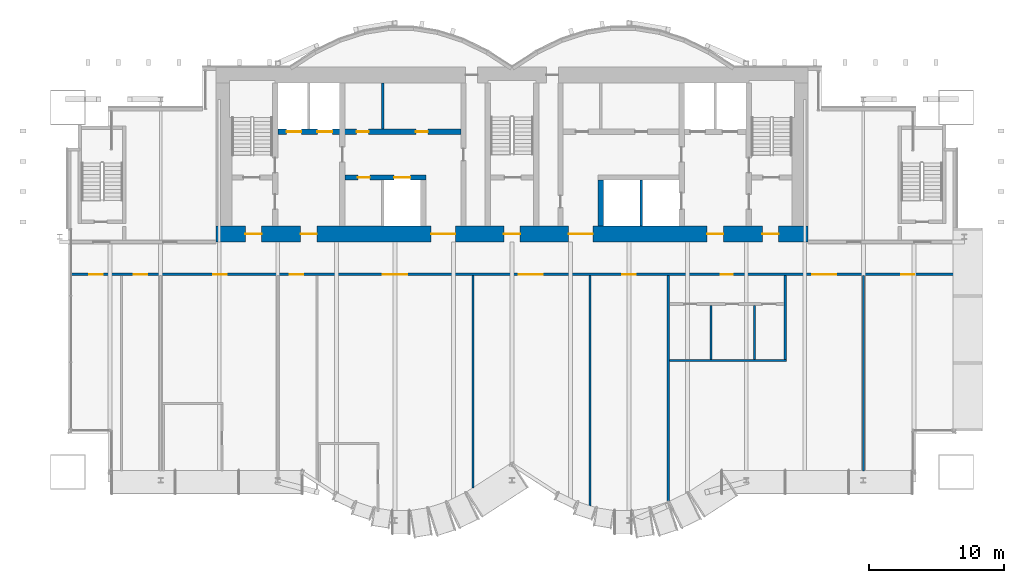
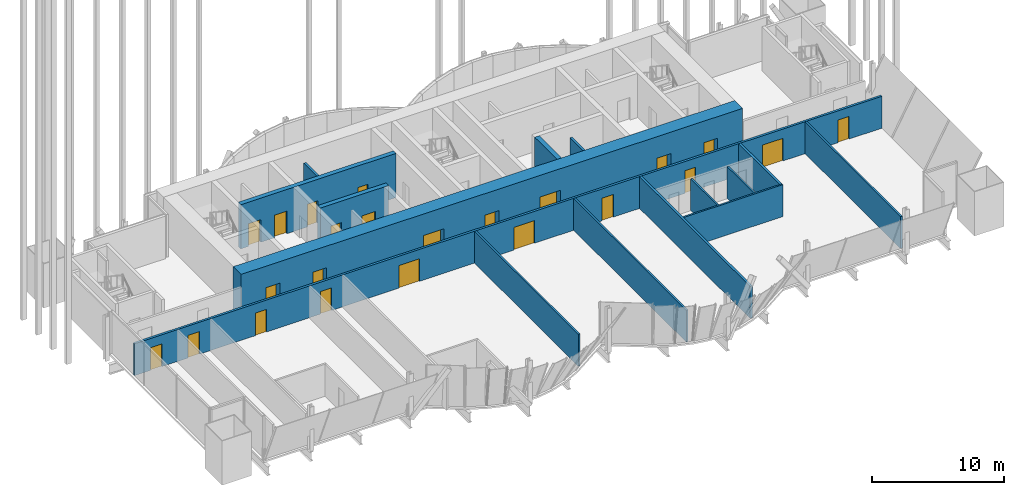
# One storey, part 24 of 29: 23 doors, 15 walls, 23 openings.
"""IFC4 building model written with IfcOpenShell, lengths in metres."""

from ifc_helpers import new_model, si_unit, direction, frame, frame_2d, origin, place, context, subcontext, project, spatial, rectangle, extrude, material, layer, layer_set, type_object, element, fill, save


model = new_model("IFC4")

# Units and contexts
model_context = context("Model", 3, precision=1e-05, world=origin(), true_north=direction((0.0, 1.0)))
body_context = subcontext(model_context, "Body", "Model", "MODEL_VIEW")
ifc_project = project(units=[si_unit("LENGTHUNIT", "METRE"), si_unit("AREAUNIT", "SQUARE_METRE"), si_unit("VOLUMEUNIT", "CUBIC_METRE"), si_unit("PLANEANGLEUNIT", "RADIAN"), si_unit("MASSUNIT", "GRAM", prefix="KILO")], contexts=[model_context])

# Site, building, storey
site_placement = place(None, origin())
site = spatial("IfcSite", under=ifc_project, at=site_placement, CompositionType="ELEMENT")
building_placement = place(site_placement, origin())
building = spatial("IfcBuilding", under=site, at=building_placement, Name="Bicima Exchange Tower", CompositionType="ELEMENT")
storey_placement = place(building_placement, frame((0.0, 0.0, 190.89990234375)))
storey = spatial("IfcBuildingStorey", under=building, at=storey_placement, Name="L42", CompositionType="ELEMENT", Elevation=190.89990234375)

# Wall
ifc_material_1 = material(Name="Gypsum board partition")
ifc_layer_1 = layer(ifc_material_1, 0.199951171875)
ifc_layer_set_1 = layer_set([ifc_layer_1], Name="Gypsum board partition")
wall_type_1 = type_object("IfcWallType", Name="Fire-rated gypsum partition 200 EI120", PredefinedType="PARTITIONING", material=ifc_layer_set_1)
wall_1_placement = place(storey_placement, frame((9.60009765625, -11.800048828125, 0.0), z_axis=(0.0, 0.0, 1.0), x_axis=(0.0, 1.0, 0.0)))
element("IfcWall", 1, at=wall_1_placement, inside=storey, type_object=wall_type_1, Name="partition wall 20", PredefinedType="PARTITIONING", context=body_context, shape_type="SweptSolid", body=[
    extrude(rectangle(XDim=3.400146484375, YDim=0.199951171875, at=frame_2d((1.7001953125, 0.0))), origin(), (0.0, 0.0, 1.0), 2.959716796875),
])

# Wall, openings, doors
ifc_layer_2 = layer(ifc_material_1, 0.199951171875)
ifc_layer_set_2 = layer_set([ifc_layer_2], Name="Gypsum board partition")
wall_type_2 = type_object("IfcWallType", Name="Fire-rated gypsum partition 200 EI60", PredefinedType="PARTITIONING", material=ifc_layer_set_2)
wall_2_placement = place(storey_placement, frame((-32.7900390625, -15.39990234375, 0.0), z_axis=(0.0, 0.0, 1.0), x_axis=(1.0, 0.0, 0.0)))
wall_2 = element("IfcWall", 2, at=wall_2_placement, inside=storey, type_object=wall_type_2, Name="partition wall 5", PredefinedType="PARTITIONING", context=body_context, shape_type="SweptSolid", body=[
    extrude(rectangle(XDim=65.580078125, YDim=0.199951171875, at=frame_2d((32.7900390625, 0.0))), origin(), (0.0, 0.0, 1.0), 2.959716796875),
])
opening_1_placement = place(wall_2_placement, frame((1.39990234375, 0.0, 0.0)))
opening_1 = element("IfcOpeningElement", 3, at=opening_1_placement, cuts=wall_2, Name="Opening L42-007", PredefinedType="OPENING", context=body_context, shape_type="SweptSolid", body=[
    extrude(rectangle(XDim=1.0, YDim=2.10009765625, at=frame_2d((0.5, 1.050048828125))), frame((0.0, 0.11181640625, 0.0), z_axis=(0.0, -1.0, 0.0), x_axis=(1.0, 0.0, 0.0)), (0.0, 0.0, 1.0), 0.223876953125),
])
opening_2_placement = place(wall_2_placement, frame((4.68994140625, 0.0, 0.0)))
opening_2 = element("IfcOpeningElement", 4, at=opening_2_placement, cuts=wall_2, Name="Opening L42-008", PredefinedType="OPENING", context=body_context, shape_type="SweptSolid", body=[
    extrude(rectangle(XDim=1.0, YDim=2.10009765625, at=frame_2d((0.5, 1.050048828125))), frame((0.0, 0.11181640625, 0.0), z_axis=(0.0, -1.0, 0.0), x_axis=(1.0, 0.0, 0.0)), (0.0, 0.0, 1.0), 0.223876953125),
])
opening_3_placement = place(wall_2_placement, frame((10.590087890625, 0.0, 0.0)))
opening_3 = element("IfcOpeningElement", 5, at=opening_3_placement, cuts=wall_2, Name="Opening L42-009", PredefinedType="OPENING", context=body_context, shape_type="SweptSolid", body=[
    extrude(rectangle(XDim=1.0, YDim=2.10009765625, at=frame_2d((0.5, 1.050048828125))), frame((0.0, 0.11181640625, 0.0), z_axis=(0.0, -1.0, 0.0), x_axis=(1.0, 0.0, 0.0)), (0.0, 0.0, 1.0), 0.223876953125),
])
opening_4_placement = place(wall_2_placement, frame((16.2900390625, 0.0, 0.0)))
opening_4 = element("IfcOpeningElement", 6, at=opening_4_placement, cuts=wall_2, Name="Opening L42-010", PredefinedType="OPENING", context=body_context, shape_type="SweptSolid", body=[
    extrude(rectangle(XDim=1.0, YDim=2.10009765625, at=frame_2d((0.5, 1.050048828125))), frame((0.0, 0.11181640625, 0.0), z_axis=(0.0, -1.0, 0.0), x_axis=(1.0, 0.0, 0.0)), (0.0, 0.0, 1.0), 0.223876953125),
])
opening_5_placement = place(wall_2_placement, frame((23.18994140625, 0.0, 0.0)))
opening_5 = element("IfcOpeningElement", 7, at=opening_5_placement, cuts=wall_2, Name="Opening L42-011", PredefinedType="OPENING", context=body_context, shape_type="SweptSolid", body=[
    extrude(rectangle(XDim=1.800048828125, YDim=2.10009765625, at=frame_2d((0.89990234375, 1.050048828125))), frame((0.0, 0.11181640625, 0.0), z_axis=(0.0, -1.0, 0.0), x_axis=(1.0, 0.0, 0.0)), (0.0, 0.0, 1.0), 0.223876953125),
])
opening_6_placement = place(wall_2_placement, frame((33.2900390625, 0.0, 0.0)))
opening_6 = element("IfcOpeningElement", 8, at=opening_6_placement, cuts=wall_2, Name="Opening L42-012", PredefinedType="OPENING", context=body_context, shape_type="SweptSolid", body=[
    extrude(rectangle(XDim=1.800048828125, YDim=2.10009765625, at=frame_2d((0.89990234375, 1.050048828125))), frame((0.0, 0.11181640625, 0.0), z_axis=(0.0, -1.0, 0.0), x_axis=(1.0, 0.0, 0.0)), (0.0, 0.0, 1.0), 0.223876953125),
])
opening_7_placement = place(wall_2_placement, frame((40.989990234375, 0.0, 0.0)))
opening_7 = element("IfcOpeningElement", 9, at=opening_7_placement, cuts=wall_2, Name="Opening L42-013", PredefinedType="OPENING", context=body_context, shape_type="SweptSolid", body=[
    extrude(rectangle(XDim=1.0, YDim=2.10009765625, at=frame_2d((0.5, 1.050048828125))), frame((0.0, 0.11181640625, 0.0), z_axis=(0.0, -1.0, 0.0), x_axis=(1.0, 0.0, 0.0)), (0.0, 0.0, 1.0), 0.223876953125),
])
opening_8_placement = place(wall_2_placement, frame((48.2900390625, 0.0, 0.0)))
opening_8 = element("IfcOpeningElement", 10, at=opening_8_placement, cuts=wall_2, Name="Opening L42-014", PredefinedType="OPENING", context=body_context, shape_type="SweptSolid", body=[
    extrude(rectangle(XDim=0.89990234375, YDim=2.10009765625, at=frame_2d((0.449951171875, 1.050048828125))), frame((0.0, 0.11181640625, 0.0), z_axis=(0.0, -1.0, 0.0), x_axis=(1.0, 0.0, 0.0)), (0.0, 0.0, 1.0), 0.223876953125),
])
opening_9_placement = place(wall_2_placement, frame((55.090087890625, 0.0, 0.0)))
opening_9 = element("IfcOpeningElement", 11, at=opening_9_placement, cuts=wall_2, Name="Opening L42-018", PredefinedType="OPENING", context=body_context, shape_type="SweptSolid", body=[
    extrude(rectangle(XDim=1.800048828125, YDim=2.10009765625, at=frame_2d((0.89990234375, 1.050048828125))), frame((0.0, 0.11181640625, 0.0), z_axis=(0.0, -1.0, 0.0), x_axis=(1.0, 0.0, 0.0)), (0.0, 0.0, 1.0), 0.223876953125),
])
opening_10_placement = place(wall_2_placement, frame((61.68994140625, 0.0, 0.0)))
opening_10 = element("IfcOpeningElement", 12, at=opening_10_placement, cuts=wall_2, Name="Opening L42-019", PredefinedType="OPENING", context=body_context, shape_type="SweptSolid", body=[
    extrude(rectangle(XDim=1.0, YDim=2.10009765625, at=frame_2d((0.5, 1.050048828125))), frame((0.0, 0.11181640625, 0.0), z_axis=(0.0, -1.0, 0.0), x_axis=(1.0, 0.0, 0.0)), (0.0, 0.0, 1.0), 0.223876953125),
])
ifc_material_2 = material(Name="Steel fire door leaf", Category="steel")
door_type_1 = type_object("IfcDoorType", Name="Door 1000 swing FD30S", OperationType="SINGLE_SWING_LEFT", PredefinedType="DOOR", material=ifc_material_2)
door_1_placement = place(opening_1_placement, frame((1.0, 0.0, 0.0), z_axis=(0.0, 0.0, 1.0), x_axis=(-1.0, 0.0, 0.0)))
door_1 = element("IfcDoor", 13, at=door_1_placement, inside=storey, type_object=door_type_1, Name="Door", OperationType="SINGLE_SWING_LEFT", OverallHeight=2.10009765625, OverallWidth=1.0, PredefinedType="DOOR", context=body_context, shape_type="SweptSolid", body=[
    extrude(rectangle(XDim=1.0, YDim=2.10009765625, at=frame_2d((0.5, 1.050048828125))), frame((0.0, 0.02490234375, 0.0), z_axis=(0.0, -1.0, 0.0), x_axis=(1.0, 0.0, 0.0)), (0.0, 0.0, 1.0), 0.050048828125),
])
fill(opening_1, door_1)
door_2_placement = place(opening_2_placement, frame((1.0, 0.0, 0.0), z_axis=(0.0, 0.0, 1.0), x_axis=(-1.0, 0.0, 0.0)))
door_2 = element("IfcDoor", 14, at=door_2_placement, inside=storey, type_object=door_type_1, Name="Door", OperationType="SINGLE_SWING_RIGHT", OverallHeight=2.10009765625, OverallWidth=1.0, PredefinedType="DOOR", context=body_context, shape_type="SweptSolid", body=[
    extrude(rectangle(XDim=1.0, YDim=2.10009765625, at=frame_2d((0.5, 1.050048828125))), frame((0.0, 0.02490234375, 0.0), z_axis=(0.0, -1.0, 0.0), x_axis=(1.0, 0.0, 0.0)), (0.0, 0.0, 1.0), 0.050048828125),
])
fill(opening_2, door_2)
door_3_placement = place(opening_3_placement, frame((1.0, 0.0, 0.0), z_axis=(0.0, 0.0, 1.0), x_axis=(-1.0, 0.0, 0.0)))
door_3 = element("IfcDoor", 15, at=door_3_placement, inside=storey, type_object=door_type_1, Name="Door", OperationType="SINGLE_SWING_RIGHT", OverallHeight=2.10009765625, OverallWidth=1.0, PredefinedType="DOOR", context=body_context, shape_type="SweptSolid", body=[
    extrude(rectangle(XDim=1.0, YDim=2.10009765625, at=frame_2d((0.5, 1.050048828125))), frame((0.0, 0.02490234375, 0.0), z_axis=(0.0, -1.0, 0.0), x_axis=(1.0, 0.0, 0.0)), (0.0, 0.0, 1.0), 0.050048828125),
])
fill(opening_3, door_3)
door_4_placement = place(opening_4_placement, frame((1.0, 0.0, 0.0), z_axis=(0.0, 0.0, 1.0), x_axis=(-1.0, 0.0, 0.0)))
door_4 = element("IfcDoor", 16, at=door_4_placement, inside=storey, type_object=door_type_1, Name="Door", OperationType="SINGLE_SWING_LEFT", OverallHeight=2.10009765625, OverallWidth=1.0, PredefinedType="DOOR", context=body_context, shape_type="SweptSolid", body=[
    extrude(rectangle(XDim=1.0, YDim=2.10009765625, at=frame_2d((0.5, 1.050048828125))), frame((0.0, 0.02490234375, 0.0), z_axis=(0.0, -1.0, 0.0), x_axis=(1.0, 0.0, 0.0)), (0.0, 0.0, 1.0), 0.050048828125),
])
fill(opening_4, door_4)
door_5_placement = place(opening_7_placement, frame((1.0, 0.0, 0.0), z_axis=(0.0, 0.0, 1.0), x_axis=(-1.0, 0.0, 0.0)))
door_5 = element("IfcDoor", 17, at=door_5_placement, inside=storey, type_object=door_type_1, Name="Door", OperationType="SINGLE_SWING_LEFT", OverallHeight=2.10009765625, OverallWidth=1.0, PredefinedType="DOOR", context=body_context, shape_type="SweptSolid", body=[
    extrude(rectangle(XDim=1.0, YDim=2.10009765625, at=frame_2d((0.5, 1.050048828125))), frame((0.0, 0.02490234375, 0.0), z_axis=(0.0, -1.0, 0.0), x_axis=(1.0, 0.0, 0.0)), (0.0, 0.0, 1.0), 0.050048828125),
])
fill(opening_7, door_5)
door_6_placement = place(opening_10_placement, frame((1.0, 0.0, 0.0), z_axis=(0.0, 0.0, 1.0), x_axis=(-1.0, 0.0, 0.0)))
door_6 = element("IfcDoor", 18, at=door_6_placement, inside=storey, type_object=door_type_1, Name="Door", OperationType="SINGLE_SWING_LEFT", OverallHeight=2.10009765625, OverallWidth=1.0, PredefinedType="DOOR", context=body_context, shape_type="SweptSolid", body=[
    extrude(rectangle(XDim=1.0, YDim=2.10009765625, at=frame_2d((0.5, 1.050048828125))), frame((0.0, 0.02490234375, 0.0), z_axis=(0.0, -1.0, 0.0), x_axis=(1.0, 0.0, 0.0)), (0.0, 0.0, 1.0), 0.050048828125),
])
fill(opening_10, door_6)
door_type_2 = type_object("IfcDoorType", Name="Door 1800 double swing FD30S", OperationType="DOUBLE_DOOR_SINGLE_SWING", PredefinedType="DOOR", material=ifc_material_2)
door_7_placement = place(opening_5_placement, origin())
door_7 = element("IfcDoor", 19, at=door_7_placement, inside=storey, type_object=door_type_2, Name="Door", OperationType="SINGLE_SWING_LEFT", OverallHeight=2.10009765625, OverallWidth=1.800048828125, PredefinedType="DOOR", context=body_context, shape_type="SweptSolid", body=[
    extrude(rectangle(XDim=1.800048828125, YDim=2.10009765625, at=frame_2d((0.89990234375, 1.050048828125))), frame((0.0, 0.02490234375, 0.0), z_axis=(0.0, -1.0, 0.0), x_axis=(1.0, 0.0, 0.0)), (0.0, 0.0, 1.0), 0.050048828125),
])
fill(opening_5, door_7)
door_8_placement = place(opening_6_placement, origin())
door_8 = element("IfcDoor", 20, at=door_8_placement, inside=storey, type_object=door_type_2, Name="Door", OperationType="SINGLE_SWING_LEFT", OverallHeight=2.10009765625, OverallWidth=1.800048828125, PredefinedType="DOOR", context=body_context, shape_type="SweptSolid", body=[
    extrude(rectangle(XDim=1.800048828125, YDim=2.10009765625, at=frame_2d((0.89990234375, 1.050048828125))), frame((0.0, 0.02490234375, 0.0), z_axis=(0.0, -1.0, 0.0), x_axis=(1.0, 0.0, 0.0)), (0.0, 0.0, 1.0), 0.050048828125),
])
fill(opening_6, door_8)
door_9_placement = place(opening_9_placement, origin())
door_9 = element("IfcDoor", 21, at=door_9_placement, inside=storey, type_object=door_type_2, Name="Door", OperationType="SINGLE_SWING_LEFT", OverallHeight=2.10009765625, OverallWidth=1.800048828125, PredefinedType="DOOR", context=body_context, shape_type="SweptSolid", body=[
    extrude(rectangle(XDim=1.800048828125, YDim=2.10009765625, at=frame_2d((0.89990234375, 1.050048828125))), frame((0.0, 0.02490234375, 0.0), z_axis=(0.0, -1.0, 0.0), x_axis=(1.0, 0.0, 0.0)), (0.0, 0.0, 1.0), 0.050048828125),
])
fill(opening_9, door_9)
door_type_3 = type_object("IfcDoorType", Name="Door 900 swing FD30S", OperationType="SINGLE_SWING_LEFT", PredefinedType="DOOR", material=ifc_material_2)
door_10_placement = place(opening_8_placement, frame((0.89990234375, 0.0, 0.0), z_axis=(0.0, 0.0, 1.0), x_axis=(-1.0, 0.0, 0.0)))
door_10 = element("IfcDoor", 22, at=door_10_placement, inside=storey, type_object=door_type_3, Name="Door", OperationType="SINGLE_SWING_RIGHT", OverallHeight=2.10009765625, OverallWidth=0.89990234375, PredefinedType="DOOR", context=body_context, shape_type="SweptSolid", body=[
    extrude(rectangle(XDim=0.89990234375, YDim=2.10009765625, at=frame_2d((0.449951171875, 1.050048828125))), frame((0.0, 0.02490234375, 0.0), z_axis=(0.0, -1.0, 0.0), x_axis=(1.0, 0.0, 0.0)), (0.0, 0.0, 1.0), 0.050048828125),
])
fill(opening_8, door_10)

# Walls
wall_3_placement = place(storey_placement, frame((11.60009765625, -32.3203125, 0.0), z_axis=(0.0, 0.0, 1.0), x_axis=(0.0, 1.0, 0.0)))
element("IfcWall", 23, at=wall_3_placement, inside=storey, type_object=wall_type_2, Name="partition wall 27", PredefinedType="PARTITIONING", context=body_context, shape_type="SweptSolid", body=[
    extrude(rectangle(XDim=16.8203125, YDim=0.199951171875, at=frame_2d((8.41015625, 0.0))), origin(), (0.0, 0.0, 1.0), 2.959716796875),
])
wall_4_placement = place(storey_placement, frame((20.300048828125, -21.72509765625, 0.0), z_axis=(0.0, 0.0, 1.0), x_axis=(0.0, 1.0, 0.0)))
element("IfcWall", 24, at=wall_4_placement, inside=storey, type_object=wall_type_2, Name="partition wall 30", PredefinedType="PARTITIONING", context=body_context, shape_type="SweptSolid", body=[
    extrude(rectangle(XDim=6.22509765625, YDim=0.199951171875, at=frame_2d((3.112548828125, 0.0))), origin(), (0.0, 0.0, 1.0), 2.959716796875),
])
wall_5_placement = place(storey_placement, frame((-9.60009765625, -4.60009765625, 0.0), z_axis=(0.0, 0.0, 1.0), x_axis=(0.0, 1.0, 0.0)))
element("IfcWall", 25, at=wall_5_placement, inside=storey, type_object=wall_type_2, Name="partition wall 12", PredefinedType="PARTITIONING", context=body_context, shape_type="SweptSolid", body=[
    extrude(rectangle(XDim=3.400146484375, YDim=0.199951171875, at=frame_2d((1.7001953125, 0.0))), origin(), (0.0, 0.0, 1.0), 2.959716796875),
])
ifc_layer_3 = layer(ifc_material_1, 0.14990234375)
ifc_layer_set_3 = layer_set([ifc_layer_3], Name="Gypsum board partition")
wall_type_3 = type_object("IfcWallType", Name="Gypsum partition 150", PredefinedType="PARTITIONING", material=ifc_layer_set_3)
wall_6_placement = place(storey_placement, frame((11.699951171875, -21.800048828125, 0.0), z_axis=(0.0, 0.0, 1.0), x_axis=(1.0, 0.0, 0.0)))
element("IfcWall", 26, at=wall_6_placement, inside=storey, type_object=wall_type_3, Name="partition wall 3", PredefinedType="PARTITIONING", context=body_context, shape_type="SweptSolid", body=[
    extrude(rectangle(XDim=8.699951171875, YDim=0.14990234375, at=frame_2d((4.35009765625, 0.0))), origin(), (0.0, 0.0, 1.0), 2.959716796875),
])
wall_7_placement = place(storey_placement, frame((-2.89990234375, -31.27001953125, 0.0), z_axis=(0.0, 0.0, 1.0), x_axis=(0.0, 1.0, 0.0)))
element("IfcWall", 27, at=wall_7_placement, inside=storey, type_object=wall_type_3, Name="partition wall 25", PredefinedType="PARTITIONING", context=body_context, shape_type="SweptSolid", body=[
    extrude(rectangle(XDim=15.77001953125, YDim=0.14990234375, at=frame_2d((7.885009765625, 0.0))), origin(), (0.0, 0.0, 1.0), 2.959716796875),
])
wall_8_placement = place(storey_placement, frame((5.800048828125, -32.610107421875, 0.0), z_axis=(0.0, 0.0, 1.0), x_axis=(0.0, 1.0, 0.0)))
element("IfcWall", 28, at=wall_8_placement, inside=storey, type_object=wall_type_3, Name="partition wall 26", PredefinedType="PARTITIONING", context=body_context, shape_type="SweptSolid", body=[
    extrude(rectangle(XDim=17.110107421875, YDim=0.14990234375, at=frame_2d((8.55517578125, 0.0))), origin(), (0.0, 0.0, 1.0), 2.959716796875),
])
for number, where, z_axis, x_axis, name in (
    (29, (14.800048828125, -21.72509765625, 0.0), (0.0, 0.0, 1.0), (0.0, 1.0, 0.0), "partition wall 28"),
    (30, (18.0, -21.72509765625, 0.0), (0.0, 0.0, 1.0), (0.0, 1.0, 0.0), "partition wall 29"),
):
    element("IfcWall", number, at=place(storey_placement, frame(where, z_axis=z_axis, x_axis=x_axis)), inside=storey, type_object=wall_type_3, Name=name, PredefinedType="PARTITIONING", context=body_context, shape_type="SweptSolid", body=[
        extrude(rectangle(XDim=4.025146484375, YDim=0.14990234375, at=frame_2d((2.0126953125, 0.0))), origin(), (0.0, 0.0, 1.0), 2.959716796875),
    ])
wall_9_placement = place(storey_placement, frame((26.10009765625, -30.010009765625, 0.0), z_axis=(0.0, 0.0, 1.0), x_axis=(0.0, 1.0, 0.0)))
element("IfcWall", 31, at=wall_9_placement, inside=storey, type_object=wall_type_3, Name="partition wall 31", PredefinedType="PARTITIONING", context=body_context, shape_type="SweptSolid", body=[
    extrude(rectangle(XDim=14.510009765625, YDim=0.14990234375, at=frame_2d((7.2548828125, 0.0))), origin(), (0.0, 0.0, 1.0), 2.959716796875),
])

# Wall, openings, doors
ifc_material_3 = material(Name="Concrete C50/60", Category="concrete")
ifc_layer_4 = layer(ifc_material_3, 1.199951171875)
ifc_layer_set_4 = layer_set([ifc_layer_4], Name="Concrete C50/60")
wall_type_4 = type_object("IfcWallType", Name="RC core wall 1200 C50/60", PredefinedType="SHEAR", material=ifc_layer_set_4)
wall_10_placement = place(storey_placement, frame((-22.0, -12.39990234375, 0.0), z_axis=(0.0, 0.0, 1.0), x_axis=(1.0, 0.0, 0.0)))
wall_10 = element("IfcWall", 32, at=wall_10_placement, inside=storey, type_object=wall_type_4, Name="Core wall south", PredefinedType="SHEAR", context=body_context, shape_type="SweptSolid", body=[
    extrude(rectangle(XDim=44.0, YDim=1.199951171875, at=frame_2d((22.0, 0.0))), origin(), (0.0, 0.0, 1.0), 4.10009765625),
])
opening_11_placement = place(wall_10_placement, frame((2.199951171875, 0.0, 0.0)))
opening_11 = element("IfcOpeningElement", 33, at=opening_11_placement, cuts=wall_10, Name="Opening L42-C19", PredefinedType="OPENING", context=body_context, shape_type="SweptSolid", body=[
    extrude(rectangle(XDim=1.199951171875, YDim=2.10009765625, at=frame_2d((0.60009765625, 1.050048828125))), frame((0.0, 0.61181640625, 0.0), z_axis=(0.0, -1.0, 0.0), x_axis=(1.0, 0.0, 0.0)), (0.0, 0.0, 1.0), 1.223876953125),
])
opening_12_placement = place(wall_10_placement, frame((21.39990234375, 0.0, 0.0)))
opening_12 = element("IfcOpeningElement", 34, at=opening_12_placement, cuts=wall_10, Name="Opening L42-C20", PredefinedType="OPENING", context=body_context, shape_type="SweptSolid", body=[
    extrude(rectangle(XDim=1.199951171875, YDim=2.10009765625, at=frame_2d((0.60009765625, 1.050048828125))), frame((0.0, 0.61181640625, 0.0), z_axis=(0.0, -1.0, 0.0), x_axis=(1.0, 0.0, 0.0)), (0.0, 0.0, 1.0), 1.223876953125),
])
opening_13_placement = place(wall_10_placement, frame((40.60009765625, 0.0, 0.0)))
opening_13 = element("IfcOpeningElement", 35, at=opening_13_placement, cuts=wall_10, Name="Opening L42-C21", PredefinedType="OPENING", context=body_context, shape_type="SweptSolid", body=[
    extrude(rectangle(XDim=1.199951171875, YDim=2.10009765625, at=frame_2d((0.60009765625, 1.050048828125))), frame((0.0, 0.61181640625, 0.0), z_axis=(0.0, -1.0, 0.0), x_axis=(1.0, 0.0, 0.0)), (0.0, 0.0, 1.0), 1.223876953125),
])
opening_14_placement = place(wall_10_placement, frame((16.0, 0.0, 0.0)))
opening_14 = element("IfcOpeningElement", 36, at=opening_14_placement, cuts=wall_10, Name="Opening L42-C22", PredefinedType="OPENING", context=body_context, shape_type="SweptSolid", body=[
    extrude(rectangle(XDim=1.800048828125, YDim=2.10009765625, at=frame_2d((0.89990234375, 1.050048828125))), frame((0.0, 0.61181640625, 0.0), z_axis=(0.0, -1.0, 0.0), x_axis=(1.0, 0.0, 0.0)), (0.0, 0.0, 1.0), 1.223876953125),
])
opening_15_placement = place(wall_10_placement, frame((6.300048828125, 0.0, 0.0)))
opening_15 = element("IfcOpeningElement", 37, at=opening_15_placement, cuts=wall_10, Name="Opening L42-C23", PredefinedType="OPENING", context=body_context, shape_type="SweptSolid", body=[
    extrude(rectangle(XDim=1.199951171875, YDim=2.10009765625, at=frame_2d((0.60009765625, 1.050048828125))), frame((0.0, 0.61181640625, 0.0), z_axis=(0.0, -1.0, 0.0), x_axis=(1.0, 0.0, 0.0)), (0.0, 0.0, 1.0), 1.223876953125),
])
opening_16_placement = place(wall_10_placement, frame((26.199951171875, 0.0, 0.0)))
opening_16 = element("IfcOpeningElement", 38, at=opening_16_placement, cuts=wall_10, Name="Opening L42-C24", PredefinedType="OPENING", context=body_context, shape_type="SweptSolid", body=[
    extrude(rectangle(XDim=1.800048828125, YDim=2.10009765625, at=frame_2d((0.89990234375, 1.050048828125))), frame((0.0, 0.61181640625, 0.0), z_axis=(0.0, -1.0, 0.0), x_axis=(1.0, 0.0, 0.0)), (0.0, 0.0, 1.0), 1.223876953125),
])
opening_17_placement = place(wall_10_placement, frame((36.5, 0.0, 0.0)))
opening_17 = element("IfcOpeningElement", 39, at=opening_17_placement, cuts=wall_10, Name="Opening L42-C25", PredefinedType="OPENING", context=body_context, shape_type="SweptSolid", body=[
    extrude(rectangle(XDim=1.199951171875, YDim=2.10009765625, at=frame_2d((0.60009765625, 1.050048828125))), frame((0.0, 0.61181640625, 0.0), z_axis=(0.0, -1.0, 0.0), x_axis=(1.0, 0.0, 0.0)), (0.0, 0.0, 1.0), 1.223876953125),
])
door_type_4 = type_object("IfcDoorType", Name="Door 1200 swing FD60S", OperationType="SINGLE_SWING_LEFT", PredefinedType="DOOR", material=ifc_material_2)
door_11_placement = place(opening_11_placement, frame((1.199951171875, 0.0, 0.0), z_axis=(0.0, 0.0, 1.0), x_axis=(-1.0, 0.0, 0.0)))
door_11 = element("IfcDoor", 40, at=door_11_placement, inside=storey, type_object=door_type_4, Name="Core door", OperationType="SINGLE_SWING_RIGHT", OverallHeight=2.10009765625, OverallWidth=1.199951171875, PredefinedType="DOOR", context=body_context, shape_type="SweptSolid", body=[
    extrude(rectangle(XDim=1.199951171875, YDim=2.10009765625, at=frame_2d((0.60009765625, 1.050048828125))), frame((0.0, 0.02490234375, 0.0), z_axis=(0.0, -1.0, 0.0), x_axis=(1.0, 0.0, 0.0)), (0.0, 0.0, 1.0), 0.050048828125),
])
fill(opening_11, door_11)
door_12_placement = place(opening_12_placement, frame((1.199951171875, 0.0, 0.0), z_axis=(0.0, 0.0, 1.0), x_axis=(-1.0, 0.0, 0.0)))
door_12 = element("IfcDoor", 41, at=door_12_placement, inside=storey, type_object=door_type_4, Name="Core door", OperationType="SINGLE_SWING_RIGHT", OverallHeight=2.10009765625, OverallWidth=1.199951171875, PredefinedType="DOOR", context=body_context, shape_type="SweptSolid", body=[
    extrude(rectangle(XDim=1.199951171875, YDim=2.10009765625, at=frame_2d((0.60009765625, 1.050048828125))), frame((0.0, 0.02490234375, 0.0), z_axis=(0.0, -1.0, 0.0), x_axis=(1.0, 0.0, 0.0)), (0.0, 0.0, 1.0), 0.050048828125),
])
fill(opening_12, door_12)
door_13_placement = place(opening_13_placement, frame((1.199951171875, 0.0, 0.0), z_axis=(0.0, 0.0, 1.0), x_axis=(-1.0, 0.0, 0.0)))
door_13 = element("IfcDoor", 42, at=door_13_placement, inside=storey, type_object=door_type_4, Name="Core door", OperationType="SINGLE_SWING_RIGHT", OverallHeight=2.10009765625, OverallWidth=1.199951171875, PredefinedType="DOOR", context=body_context, shape_type="SweptSolid", body=[
    extrude(rectangle(XDim=1.199951171875, YDim=2.10009765625, at=frame_2d((0.60009765625, 1.050048828125))), frame((0.0, 0.02490234375, 0.0), z_axis=(0.0, -1.0, 0.0), x_axis=(1.0, 0.0, 0.0)), (0.0, 0.0, 1.0), 0.050048828125),
])
fill(opening_13, door_13)
door_14_placement = place(opening_15_placement, frame((1.199951171875, 0.0, 0.0), z_axis=(0.0, 0.0, 1.0), x_axis=(-1.0, 0.0, 0.0)))
door_14 = element("IfcDoor", 43, at=door_14_placement, inside=storey, type_object=door_type_4, Name="Core door", OperationType="SINGLE_SWING_RIGHT", OverallHeight=2.10009765625, OverallWidth=1.199951171875, PredefinedType="DOOR", context=body_context, shape_type="SweptSolid", body=[
    extrude(rectangle(XDim=1.199951171875, YDim=2.10009765625, at=frame_2d((0.60009765625, 1.050048828125))), frame((0.0, 0.02490234375, 0.0), z_axis=(0.0, -1.0, 0.0), x_axis=(1.0, 0.0, 0.0)), (0.0, 0.0, 1.0), 0.050048828125),
])
fill(opening_15, door_14)
door_15_placement = place(opening_17_placement, frame((1.199951171875, 0.0, 0.0), z_axis=(0.0, 0.0, 1.0), x_axis=(-1.0, 0.0, 0.0)))
door_15 = element("IfcDoor", 44, at=door_15_placement, inside=storey, type_object=door_type_4, Name="Core door", OperationType="SINGLE_SWING_RIGHT", OverallHeight=2.10009765625, OverallWidth=1.199951171875, PredefinedType="DOOR", context=body_context, shape_type="SweptSolid", body=[
    extrude(rectangle(XDim=1.199951171875, YDim=2.10009765625, at=frame_2d((0.60009765625, 1.050048828125))), frame((0.0, 0.02490234375, 0.0), z_axis=(0.0, -1.0, 0.0), x_axis=(1.0, 0.0, 0.0)), (0.0, 0.0, 1.0), 0.050048828125),
])
fill(opening_17, door_15)
door_16_placement = place(opening_14_placement, origin())
door_16 = element("IfcDoor", 45, at=door_16_placement, inside=storey, type_object=door_type_2, Name="Core door", OperationType="SINGLE_SWING_LEFT", OverallHeight=2.10009765625, OverallWidth=1.800048828125, PredefinedType="DOOR", context=body_context, shape_type="SweptSolid", body=[
    extrude(rectangle(XDim=1.800048828125, YDim=2.10009765625, at=frame_2d((0.89990234375, 1.050048828125))), frame((0.0, 0.02490234375, 0.0), z_axis=(0.0, -1.0, 0.0), x_axis=(1.0, 0.0, 0.0)), (0.0, 0.0, 1.0), 0.050048828125),
])
fill(opening_14, door_16)
door_17_placement = place(opening_16_placement, origin())
door_17 = element("IfcDoor", 46, at=door_17_placement, inside=storey, type_object=door_type_2, Name="Core door", OperationType="SINGLE_SWING_LEFT", OverallHeight=2.10009765625, OverallWidth=1.800048828125, PredefinedType="DOOR", context=body_context, shape_type="SweptSolid", body=[
    extrude(rectangle(XDim=1.800048828125, YDim=2.10009765625, at=frame_2d((0.89990234375, 1.050048828125))), frame((0.0, 0.02490234375, 0.0), z_axis=(0.0, -1.0, 0.0), x_axis=(1.0, 0.0, 0.0)), (0.0, 0.0, 1.0), 0.050048828125),
])
fill(opening_16, door_17)

ifc_layer_5 = layer(ifc_material_3, 0.39990234375)
ifc_layer_set_5 = layer_set([ifc_layer_5], Name="Concrete C50/60")
wall_type_5 = type_object("IfcWallType", Name="RC core wall 400 C50/60", PredefinedType="SHEAR", material=ifc_layer_set_5)
wall_11_placement = place(storey_placement, frame((-12.39990234375, -8.199951171875, 0.0), z_axis=(0.0, 0.0, 1.0), x_axis=(1.0, 0.0, 0.0)))
wall_11 = element("IfcWall", 47, at=wall_11_placement, inside=storey, type_object=wall_type_5, Name="shear wall 2", PredefinedType="SHEAR", context=body_context, shape_type="SweptSolid", body=[
    extrude(rectangle(XDim=6.0, YDim=0.39990234375, at=frame_2d((3.0, 0.0))), origin(), (0.0, 0.0, 1.0), 4.10009765625),
])
opening_18_placement = place(wall_11_placement, frame((3.64990234375, 0.0, 0.0)))
opening_18 = element("IfcOpeningElement", 48, at=opening_18_placement, cuts=wall_11, Name="Opening LD-MB1-L42", PredefinedType="OPENING", context=body_context, shape_type="SweptSolid", body=[
    extrude(rectangle(XDim=1.199951171875, YDim=2.10009765625, at=frame_2d((0.60009765625, 1.050048828125))), frame((0.0, 0.2119140625, 0.0), z_axis=(0.0, -1.0, 0.0), x_axis=(1.0, 0.0, 0.0)), (0.0, 0.0, 1.0), 0.423828125),
])
opening_19_placement = place(wall_11_placement, frame((0.949951171875, 0.0, 0.0)))
opening_19 = element("IfcOpeningElement", 49, at=opening_19_placement, cuts=wall_11, Name="Opening L42-C16", PredefinedType="OPENING", context=body_context, shape_type="SweptSolid", body=[
    extrude(rectangle(XDim=0.89990234375, YDim=2.10009765625, at=frame_2d((0.449951171875, 1.050048828125))), frame((0.0, 0.2119140625, 0.0), z_axis=(0.0, -1.0, 0.0), x_axis=(1.0, 0.0, 0.0)), (0.0, 0.0, 1.0), 0.423828125),
])
door_18_placement = place(opening_19_placement, frame((0.89990234375, 0.0, 0.0), z_axis=(0.0, 0.0, 1.0), x_axis=(-1.0, 0.0, 0.0)))
door_18 = element("IfcDoor", 50, at=door_18_placement, inside=storey, type_object=door_type_3, Name="Core door", OperationType="SINGLE_SWING_LEFT", OverallHeight=2.10009765625, OverallWidth=0.89990234375, PredefinedType="DOOR", context=body_context, shape_type="SweptSolid", body=[
    extrude(rectangle(XDim=0.89990234375, YDim=2.10009765625, at=frame_2d((0.449951171875, 1.050048828125))), frame((0.0, 0.02490234375, 0.0), z_axis=(0.0, -1.0, 0.0), x_axis=(1.0, 0.0, 0.0)), (0.0, 0.0, 1.0), 0.050048828125),
])
fill(opening_19, door_18)
ifc_material_4 = material(Name="Stainless steel", Category="steel")
door_type_5 = type_object("IfcDoorType", Name="Lift landing door 1200 sliding", OperationType="DOUBLE_DOOR_SLIDING", PredefinedType="DOOR", material=ifc_material_4)
door_19_placement = place(opening_18_placement, origin())
door_19 = element("IfcDoor", 51, at=door_19_placement, inside=storey, type_object=door_type_5, Name="Lift landing door MB1", OperationType="DOUBLE_DOOR_SLIDING", OverallHeight=2.10009765625, OverallWidth=1.199951171875, PredefinedType="DOOR", context=body_context, shape_type="SweptSolid", body=[
    extrude(rectangle(XDim=1.199951171875, YDim=2.10009765625, at=frame_2d((0.60009765625, 1.050048828125))), frame((0.0, 0.02490234375, 0.0), z_axis=(0.0, -1.0, 0.0), x_axis=(1.0, 0.0, 0.0)), (0.0, 0.0, 1.0), 0.050048828125),
])
fill(opening_18, door_19)

wall_12_placement = place(storey_placement, frame((-17.39990234375, -4.800048828125, 0.0), z_axis=(0.0, 0.0, 1.0), x_axis=(1.0, 0.0, 0.0)))
wall_12 = element("IfcWall", 52, at=wall_12_placement, inside=storey, type_object=wall_type_5, Name="shear wall 6", PredefinedType="SHEAR", context=body_context, shape_type="SweptSolid", body=[
    extrude(rectangle(XDim=13.599853515625, YDim=0.39990234375, at=frame_2d((6.7998046875, 0.0))), origin(), (0.0, 0.0, 1.0), 4.10009765625),
])
opening_20_placement = place(wall_12_placement, frame((0.64990234375, 0.0, 0.0)))
opening_20 = element("IfcOpeningElement", 53, at=opening_20_placement, cuts=wall_12, Name="Opening LD-FF1-L42", PredefinedType="OPENING", context=body_context, shape_type="SweptSolid", body=[
    extrude(rectangle(XDim=1.10009765625, YDim=2.10009765625, at=frame_2d((0.550048828125, 1.050048828125))), frame((0.0, 0.2119140625, 0.0), z_axis=(0.0, -1.0, 0.0), x_axis=(1.0, 0.0, 0.0)), (0.0, 0.0, 1.0), 0.423828125),
])
opening_21_placement = place(wall_12_placement, frame((2.949951171875, 0.0, 0.0)))
opening_21 = element("IfcOpeningElement", 54, at=opening_21_placement, cuts=wall_12, Name="Opening LD-FF3-L42", PredefinedType="OPENING", context=body_context, shape_type="SweptSolid", body=[
    extrude(rectangle(XDim=1.10009765625, YDim=2.10009765625, at=frame_2d((0.550048828125, 1.050048828125))), frame((0.0, 0.2119140625, 0.0), z_axis=(0.0, -1.0, 0.0), x_axis=(1.0, 0.0, 0.0)), (0.0, 0.0, 1.0), 0.423828125),
])
opening_22_placement = place(wall_12_placement, frame((5.85009765625, 0.0, 0.0)))
opening_22 = element("IfcOpeningElement", 55, at=opening_22_placement, cuts=wall_12, Name="Opening L42-C12", PredefinedType="OPENING", context=body_context, shape_type="SweptSolid", body=[
    extrude(rectangle(XDim=0.89990234375, YDim=2.10009765625, at=frame_2d((0.449951171875, 1.050048828125))), frame((0.0, 0.2119140625, 0.0), z_axis=(0.0, -1.0, 0.0), x_axis=(1.0, 0.0, 0.0)), (0.0, 0.0, 1.0), 0.423828125),
])
opening_23_placement = place(wall_12_placement, frame((10.25, 0.0, 0.0)))
opening_23 = element("IfcOpeningElement", 56, at=opening_23_placement, cuts=wall_12, Name="Opening L42-C13", PredefinedType="OPENING", context=body_context, shape_type="SweptSolid", body=[
    extrude(rectangle(XDim=0.89990234375, YDim=2.10009765625, at=frame_2d((0.449951171875, 1.050048828125))), frame((0.0, 0.2119140625, 0.0), z_axis=(0.0, -1.0, 0.0), x_axis=(1.0, 0.0, 0.0)), (0.0, 0.0, 1.0), 0.423828125),
])
door_20_placement = place(opening_22_placement, origin())
door_20 = element("IfcDoor", 57, at=door_20_placement, inside=storey, type_object=door_type_3, Name="Core door", OperationType="SINGLE_SWING_RIGHT", OverallHeight=2.10009765625, OverallWidth=0.89990234375, PredefinedType="DOOR", context=body_context, shape_type="SweptSolid", body=[
    extrude(rectangle(XDim=0.89990234375, YDim=2.10009765625, at=frame_2d((0.449951171875, 1.050048828125))), frame((0.0, 0.02490234375, 0.0), z_axis=(0.0, -1.0, 0.0), x_axis=(1.0, 0.0, 0.0)), (0.0, 0.0, 1.0), 0.050048828125),
])
fill(opening_22, door_20)
door_21_placement = place(opening_23_placement, origin())
door_21 = element("IfcDoor", 58, at=door_21_placement, inside=storey, type_object=door_type_3, Name="Core door", OperationType="SINGLE_SWING_LEFT", OverallHeight=2.10009765625, OverallWidth=0.89990234375, PredefinedType="DOOR", context=body_context, shape_type="SweptSolid", body=[
    extrude(rectangle(XDim=0.89990234375, YDim=2.10009765625, at=frame_2d((0.449951171875, 1.050048828125))), frame((0.0, 0.02490234375, 0.0), z_axis=(0.0, -1.0, 0.0), x_axis=(1.0, 0.0, 0.0)), (0.0, 0.0, 1.0), 0.050048828125),
])
fill(opening_23, door_21)
door_type_6 = type_object("IfcDoorType", Name="Lift landing door 1100 sliding", OperationType="DOUBLE_DOOR_SLIDING", PredefinedType="DOOR", material=ifc_material_4)
door_22_placement = place(opening_20_placement, origin())
door_22 = element("IfcDoor", 59, at=door_22_placement, inside=storey, type_object=door_type_6, Name="Lift landing door FF1", OperationType="DOUBLE_DOOR_SLIDING", OverallHeight=2.10009765625, OverallWidth=1.10009765625, PredefinedType="DOOR", context=body_context, shape_type="SweptSolid", body=[
    extrude(rectangle(XDim=1.10009765625, YDim=2.10009765625, at=frame_2d((0.550048828125, 1.050048828125))), frame((0.0, 0.02490234375, 0.0), z_axis=(0.0, -1.0, 0.0), x_axis=(1.0, 0.0, 0.0)), (0.0, 0.0, 1.0), 0.050048828125),
])
fill(opening_20, door_22)
door_23_placement = place(opening_21_placement, origin())
door_23 = element("IfcDoor", 60, at=door_23_placement, inside=storey, type_object=door_type_6, Name="Lift landing door FF3", OperationType="DOUBLE_DOOR_SLIDING", OverallHeight=2.10009765625, OverallWidth=1.10009765625, PredefinedType="DOOR", context=body_context, shape_type="SweptSolid", body=[
    extrude(rectangle(XDim=1.10009765625, YDim=2.10009765625, at=frame_2d((0.550048828125, 1.050048828125))), frame((0.0, 0.02490234375, 0.0), z_axis=(0.0, -1.0, 0.0), x_axis=(1.0, 0.0, 0.0)), (0.0, 0.0, 1.0), 0.050048828125),
])
fill(opening_21, door_23)

# Wall
wall_13_placement = place(storey_placement, frame((6.60009765625, -11.800048828125, 0.0), z_axis=(0.0, 0.0, 1.0), x_axis=(0.0, 1.0, 0.0)))
element("IfcWall", 61, at=wall_13_placement, inside=storey, type_object=wall_type_5, Name="shear wall 18", PredefinedType="SHEAR", context=body_context, shape_type="SweptSolid", body=[
    extrude(rectangle(XDim=3.400146484375, YDim=0.39990234375, at=frame_2d((1.7001953125, 0.0))), origin(), (0.0, 0.0, 1.0), 4.10009765625),
])

save(model, "model.ifc")
